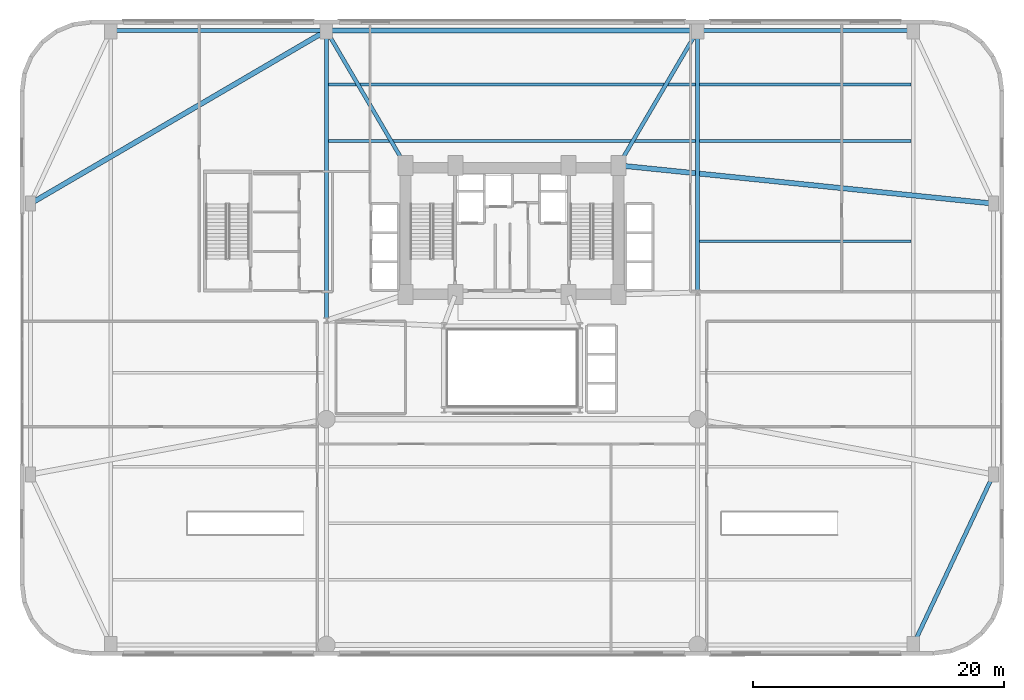
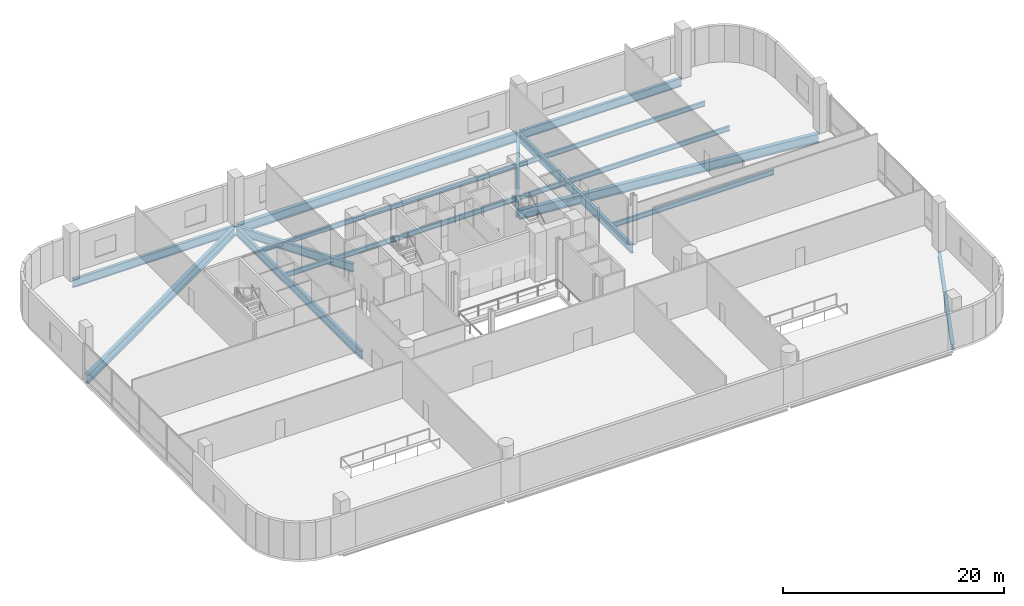
# One storey, part 15 of 31: 15 beams.
"""IFC4 building model written with IfcOpenShell, lengths in metres."""

from ifc_helpers import new_model, si_unit, direction, frame, origin, origin_2d, place, context, subcontext, project, spatial, i_section, extrude, material, material_profile, profile_set, type_object, element, save


model = new_model("IFC4")

# Units and contexts
model_context = context("Model", 3, precision=1e-05, world=origin(), true_north=direction((0.0, 1.0)))
body_context = subcontext(model_context, "Body", "Model", "MODEL_VIEW")
ifc_project = project(units=[si_unit("LENGTHUNIT", "METRE"), si_unit("AREAUNIT", "SQUARE_METRE"), si_unit("VOLUMEUNIT", "CUBIC_METRE"), si_unit("PLANEANGLEUNIT", "RADIAN"), si_unit("MASSUNIT", "GRAM", prefix="KILO")], contexts=[model_context])

# Site, building, storey
site_placement = place(None, origin())
site = spatial("IfcSite", under=ifc_project, at=site_placement, CompositionType="ELEMENT")
building_placement = place(site_placement, origin())
building = spatial("IfcBuilding", under=site, at=building_placement, Name="Varnelok Gate Tower", CompositionType="ELEMENT")
storey_placement = place(building_placement, frame((0.0, 0.0, 16.199951171875)))
storey = spatial("IfcBuildingStorey", under=building, at=storey_placement, Name="L03", CompositionType="ELEMENT", Elevation=16.199951171875)

# Beams
ifc_material = material(Name="Structural Steel ASTM A992 Grade 50", Category="steel")
ifc_material_profile_1 = material_profile(ifc_material, i_section(OverallWidth=0.2119140625, OverallDepth=0.5439453125, WebThickness=0.01318359375, FlangeThickness=0.021240234375, FilletRadius=0.01611328125, at=origin_2d()), Name="W21X83")
ifc_profile_set_1 = profile_set([ifc_material_profile_1], Name="Structural Steel ASTM A992 Grade 50")
beam_type_1 = type_object("IfcBeamType", Name="BM-JST-W21X83", PredefinedType="JOIST", material=ifc_profile_set_1)
for number, where, z_axis, x_axis, name in (
    (1, (54.159912109375, 33.0, -0.552001953125), (1.0, 0.0, 0.0), (0.0, 1.0, 0.0), "L03 Podium Floor Joist"),
    (2, (54.159912109375, 41.0, -0.552001953125), (1.0, 0.0, 0.0), (0.0, 1.0, 0.0), "L03 Podium Floor Joist"),
):
    element("IfcBeam", number, at=place(storey_placement, frame(where, z_axis=z_axis, x_axis=x_axis)), inside=storey, type_object=beam_type_1, Name=name, PredefinedType="JOIST", context=body_context, shape_type="SweptSolid", body=[
        extrude(i_section(OverallWidth=0.2119140625, OverallDepth=0.5439453125, WebThickness=0.01318359375, FlangeThickness=0.021240234375, FilletRadius=0.01611328125, at=origin_2d()), origin(), (0.0, 0.0, 1.0), 16.880126953125),
    ])
beam_1_placement = place(storey_placement, frame((24.56005859375, 41.0, -0.552001953125), z_axis=(1.0, 0.0, 0.0), x_axis=(0.0, 1.0, 0.0)))
element("IfcBeam", 3, at=beam_1_placement, inside=storey, type_object=beam_type_1, Name="L03 Central Bay Joist", PredefinedType="JOIST", context=body_context, shape_type="SweptSolid", body=[
    extrude(i_section(OverallWidth=0.2119140625, OverallDepth=0.5439453125, WebThickness=0.01318359375, FlangeThickness=0.021240234375, FilletRadius=0.01611328125, at=origin_2d()), origin(), (0.0, 0.0, 1.0), 29.280029296875),
])
beam_2_placement = place(storey_placement, frame((54.159912109375, 45.5, -0.552001953125), z_axis=(1.0, 0.0, 0.0), x_axis=(0.0, 1.0, 0.0)))
element("IfcBeam", 4, at=beam_2_placement, inside=storey, type_object=beam_type_1, Name="L03 Podium Floor Joist", PredefinedType="JOIST", context=body_context, shape_type="SweptSolid", body=[
    extrude(i_section(OverallWidth=0.2119140625, OverallDepth=0.5439453125, WebThickness=0.01318359375, FlangeThickness=0.021240234375, FilletRadius=0.01611328125, at=origin_2d()), origin(), (0.0, 0.0, 1.0), 16.880126953125),
])
beam_3_placement = place(storey_placement, frame((24.56005859375, 45.5, -0.552001953125), z_axis=(1.0, 0.0, 0.0), x_axis=(0.0, 1.0, 0.0)))
element("IfcBeam", 5, at=beam_3_placement, inside=storey, type_object=beam_type_1, Name="L03 Central Bay Joist", PredefinedType="JOIST", context=body_context, shape_type="SweptSolid", body=[
    extrude(i_section(OverallWidth=0.2119140625, OverallDepth=0.5439453125, WebThickness=0.01318359375, FlangeThickness=0.021240234375, FilletRadius=0.01611328125, at=origin_2d()), origin(), (0.0, 0.0, 1.0), 29.280029296875),
])
ifc_material_profile_2 = material_profile(ifc_material, i_section(OverallWidth=0.30810546875, OverallDepth=0.943115234375, WebThickness=0.022216796875, FlangeThickness=0.039794921875, FilletRadius=0.02587890625, at=origin_2d()), Name="W36X232")
ifc_profile_set_2 = profile_set([ifc_material_profile_2], Name="Structural Steel ASTM A992 Grade 50")
beam_type_2 = type_object("IfcBeamType", Name="BM-PRI-W36X232", PredefinedType="BEAM", material=ifc_profile_set_2)
beam_4_placement = place(storey_placement, frame((7.340087890625, 49.800048828125, -0.75146484375), z_axis=(1.0, 0.0, 0.0), x_axis=(0.0, 1.0, 0.0)))
element("IfcBeam", 6, at=beam_4_placement, inside=storey, type_object=beam_type_2, Name="L03 Podium Primary Girder 3", PredefinedType="BEAM", context=body_context, shape_type="SweptSolid", body=[
    extrude(i_section(OverallWidth=0.30810546875, OverallDepth=0.943115234375, WebThickness=0.022216796875, FlangeThickness=0.039794921875, FilletRadius=0.02587890625, at=origin_2d()), origin(), (0.0, 0.0, 1.0), 16.919921875),
])
beam_5_placement = place(storey_placement, frame((54.139892578125, 49.800048828125, -0.75146484375), z_axis=(1.0, 0.0, 0.0), x_axis=(0.0, 1.0, 0.0)))
element("IfcBeam", 7, at=beam_5_placement, inside=storey, type_object=beam_type_2, Name="L03 Podium Primary Girder 5", PredefinedType="BEAM", context=body_context, shape_type="SweptSolid", body=[
    extrude(i_section(OverallWidth=0.30810546875, OverallDepth=0.943115234375, WebThickness=0.022216796875, FlangeThickness=0.039794921875, FilletRadius=0.02587890625, at=origin_2d()), origin(), (0.0, 0.0, 1.0), 16.920166015625),
])
for number, where, z_axis, x_axis, name in (
    (8, (24.470703125, 49.67919921875, -0.75146484375), (0.505622271853, -0.862754958378, 0.0), (0.862754958378, 0.505622271853, 0.0), "L03 Podium Primary Girder 20"),
    (9, (53.92919921875, 49.67919921875, -0.75146484375), (-0.505622271853, -0.862754958378, 0.0), (0.862754958378, -0.505622271853, 0.0), "L03 Podium Primary Girder 21"),
):
    element("IfcBeam", number, at=place(storey_placement, frame(where, z_axis=z_axis, x_axis=x_axis)), inside=storey, type_object=beam_type_2, Name=name, PredefinedType="BEAM", context=body_context, shape_type="SweptSolid", body=[
        extrude(i_section(OverallWidth=0.30810546875, OverallDepth=0.943115234375, WebThickness=0.022216796875, FlangeThickness=0.039794921875, FilletRadius=0.02587890625, at=origin_2d()), origin(), (0.0, 0.0, 1.0), 12.179931640625),
    ])
beam_6_placement = place(storey_placement, frame((24.39990234375, 26.820068359375, -0.75146484375), z_axis=(0.0, 1.0, 0.0), x_axis=(-1.0, 0.0, 0.0)))
element("IfcBeam", 10, at=beam_6_placement, inside=storey, type_object=beam_type_2, Name="L03 Podium Primary Girder 22", PredefinedType="BEAM", context=body_context, shape_type="SweptSolid", body=[
    extrude(i_section(OverallWidth=0.30810546875, OverallDepth=0.943115234375, WebThickness=0.022216796875, FlangeThickness=0.039794921875, FilletRadius=0.02587890625, at=origin_2d()), origin(), (0.0, 0.0, 1.0), 22.83984375),
])
beam_7_placement = place(storey_placement, frame((54.0, 29.06005859375, -0.75146484375), z_axis=(0.0, 1.0, 0.0), x_axis=(-1.0, 0.0, 0.0)))
element("IfcBeam", 11, at=beam_7_placement, inside=storey, type_object=beam_type_2, Name="L03 Podium Primary Girder 23", PredefinedType="BEAM", context=body_context, shape_type="SweptSolid", body=[
    extrude(i_section(OverallWidth=0.30810546875, OverallDepth=0.943115234375, WebThickness=0.022216796875, FlangeThickness=0.039794921875, FilletRadius=0.02587890625, at=origin_2d()), origin(), (0.0, 0.0, 1.0), 20.599853515625),
])
ifc_material_profile_3 = material_profile(ifc_material, i_section(OverallWidth=0.323974609375, OverallDepth=0.611083984375, WebThickness=0.0126953125, FlangeThickness=0.01904296875, FilletRadius=0.01806640625, at=origin_2d()), Name="W24X104")
ifc_profile_set_3 = profile_set([ifc_material_profile_3], Name="Structural Steel ASTM A992 Grade 50")
beam_type_3 = type_object("IfcBeamType", Name="BM-SPN-W24X104", PredefinedType="SPANDREL", material=ifc_profile_set_3)
beam_8_placement = place(storey_placement, frame((71.259521484375, 0.9267578125, -0.58544921875), z_axis=(0.425801818887, 0.90481645157, 0.0), x_axis=(-0.90481645157, 0.425801818887, 0.0)))
element("IfcBeam", 12, at=beam_8_placement, inside=storey, type_object=beam_type_3, Name="L03 Podium Primary Girder 10", PredefinedType="SPANDREL", context=body_context, shape_type="SweptSolid", body=[
    extrude(i_section(OverallWidth=0.323974609375, OverallDepth=0.611083984375, WebThickness=0.0126953125, FlangeThickness=0.01904296875, FilletRadius=0.01806640625, at=origin_2d()), origin(), (0.0, 0.0, 1.0), 14.75048828125),
])
ifc_material_profile_4 = material_profile(ifc_material, i_section(OverallWidth=0.404052734375, OverallDepth=1.02001953125, WebThickness=0.025390625, FlangeThickness=0.0458984375, FilletRadius=0.030029296875, at=origin_2d()), Name="W40X324")
ifc_profile_set_4 = profile_set([ifc_material_profile_4], Name="Structural Steel ASTM A992 Grade 50")
beam_type_4 = type_object("IfcBeamType", Name="BM-SPR-W40X324", PredefinedType="BEAM", material=ifc_profile_set_4)
beam_9_placement = place(storey_placement, frame((24.5400390625, 49.800048828125, -0.7900390625), z_axis=(1.0, 0.0, 0.0), x_axis=(0.0, 1.0, 0.0)))
element("IfcBeam", 13, at=beam_9_placement, inside=storey, type_object=beam_type_4, Name="L03 Podium Primary Girder 4", PredefinedType="BEAM", context=body_context, shape_type="SweptSolid", body=[
    extrude(i_section(OverallWidth=0.404052734375, OverallDepth=1.02001953125, WebThickness=0.025390625, FlangeThickness=0.0458984375, FilletRadius=0.030029296875, at=origin_2d()), origin(), (0.0, 0.0, 1.0), 29.320068359375),
])
beam_10_placement = place(storey_placement, frame((0.9208984375, 36.07080078125, -0.7900390625), z_axis=(0.863249918026, 0.504776761578, 0.0), x_axis=(-0.504776761578, 0.863249918026, 0.0)))
element("IfcBeam", 14, at=beam_10_placement, inside=storey, type_object=beam_type_4, Name="L03 Podium Primary Girder 18", PredefinedType="BEAM", context=body_context, shape_type="SweptSolid", body=[
    extrude(i_section(OverallWidth=0.404052734375, OverallDepth=1.02001953125, WebThickness=0.025390625, FlangeThickness=0.0458984375, FilletRadius=0.030029296875, at=origin_2d()), origin(), (0.0, 0.0, 1.0), 27.058349609375),
])
beam_11_placement = place(storey_placement, frame((47.83935546875, 39.035888671875, -0.7900390625), z_axis=(0.994837048788, -0.101485202654, 0.0), x_axis=(0.101485202654, 0.994837048788, 0.0)))
element("IfcBeam", 15, at=beam_11_placement, inside=storey, type_object=beam_type_4, Name="L03 Podium Primary Girder 19", PredefinedType="BEAM", context=body_context, shape_type="SweptSolid", body=[
    extrude(i_section(OverallWidth=0.404052734375, OverallDepth=1.02001953125, WebThickness=0.025390625, FlangeThickness=0.0458984375, FilletRadius=0.030029296875, at=origin_2d()), origin(), (0.0, 0.0, 1.0), 29.775146484375),
])

save(model, "model.ifc")
